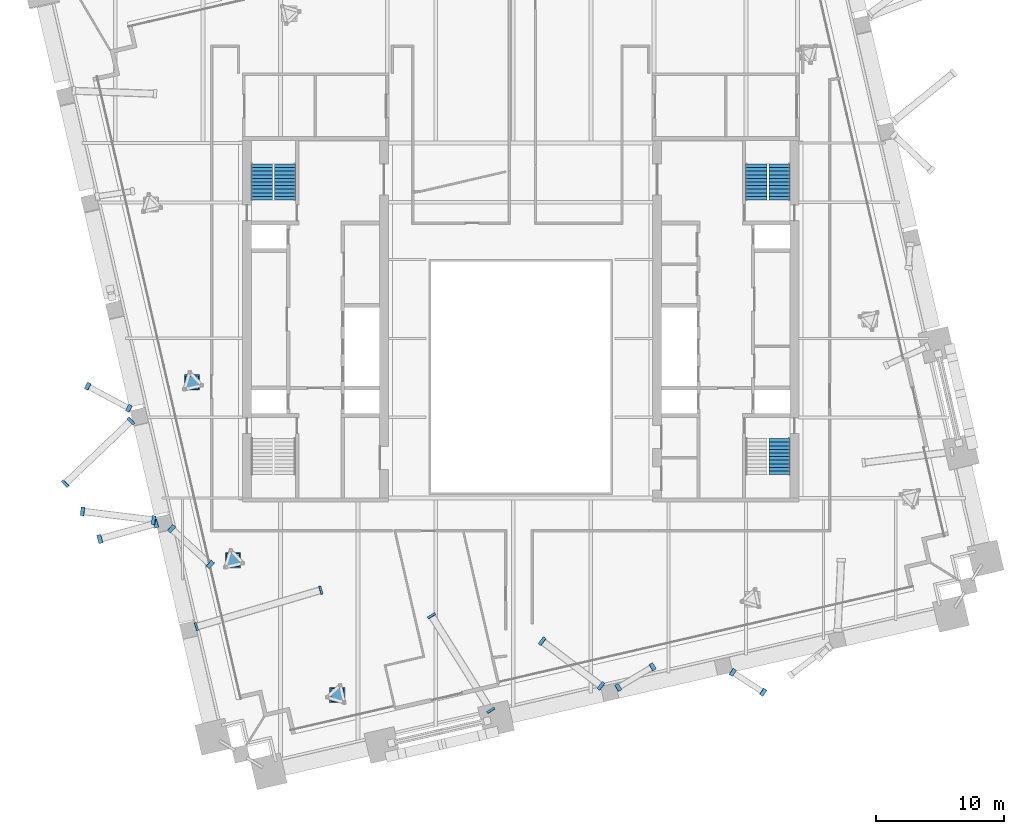
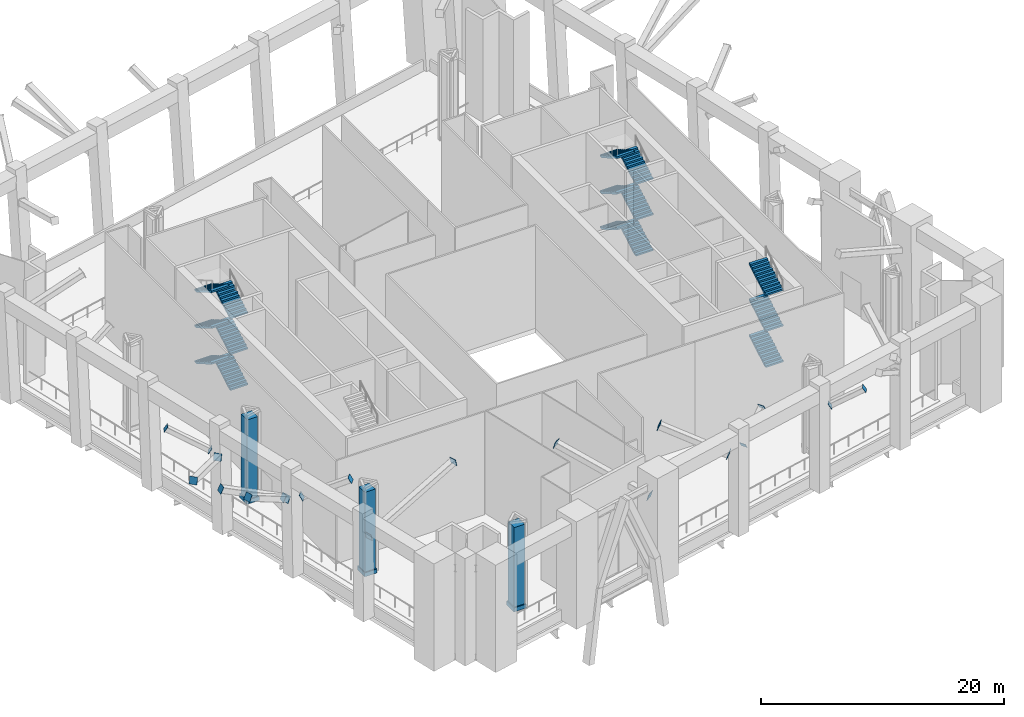
# One storey, part 20 of 25: 26 discrete accessories, 15 stair flights, 3 elements without a shape of their own.
"""IFC4 building model written with IfcOpenShell, lengths in metres."""

from ifc_helpers import new_model, si_unit, direction, frame, origin, origin_2d, place, context, subcontext, project, spatial, polyline, rectangle, outline, extrude, material, material_profile, profile_set, type_object, element, aggregate, save


model = new_model("IFC4")

# Units and contexts
model_context = context("Model", 3, precision=1e-05, world=origin(), true_north=direction((0.0, 1.0)))
body_context = subcontext(model_context, "Body", "Model", "MODEL_VIEW")
ifc_project = project(units=[si_unit("LENGTHUNIT", "METRE"), si_unit("AREAUNIT", "SQUARE_METRE"), si_unit("VOLUMEUNIT", "CUBIC_METRE"), si_unit("PLANEANGLEUNIT", "RADIAN"), si_unit("MASSUNIT", "GRAM", prefix="KILO")], contexts=[model_context])

# Site, building, storey
site_placement = place(None, origin())
site = spatial("IfcSite", under=ifc_project, at=site_placement, CompositionType="ELEMENT")
building_placement = place(site_placement, origin())
building = spatial("IfcBuilding", under=site, at=building_placement, Name="Ogive Exchange Tower", CompositionType="ELEMENT")
storey_placement = place(building_placement, frame((0.0, 0.0, 226.199951171875)))
storey = spatial("IfcBuildingStorey", under=building, at=storey_placement, Name="L50", CompositionType="ELEMENT", Elevation=226.199951171875)

# Stair, stair flights
ifc_material_1 = material(Name="Concrete C40/50", Category="concrete")
stair_type = type_object("IfcStairType", Name="Exit stair 1650 wide", PredefinedType="HALF_TURN_STAIR", material=ifc_material_1)
stair_1_placement = place(storey_placement, origin())
stair_1 = element("IfcStair", 1, at=stair_1_placement, inside=storey, type_object=stair_type, Name="L50 exit stair ST2", PredefinedType="HALF_TURN_STAIR")
stair_flight_type = type_object("IfcStairFlightType", Name="Stair flight 1650 wide", PredefinedType="STRAIGHT", material=ifc_material_1)
stair_flight_1_placement = place(storey_placement, frame((-18.375, 20.800048828125, 0.0), z_axis=(0.0, 0.0, 1.0), x_axis=(0.0, 1.0, 0.0)))
stair_flight_1 = element("IfcStairFlight", 2, at=stair_flight_1_placement, type_object=stair_flight_type, Name="ST2 flight 1", NumberOfRisers=11, NumberOfTreads=10, PredefinedType="STRAIGHT", RiserHeight=0.163636364, TreadLength=0.281, context=body_context, shape_type="SweptSolid", body=[
    extrude(outline(polyline([(0.0, 0.0), (0.0, 0.16357421875), (0.281005859375, 0.16357421875), (0.281005859375, 0.327392578125), (0.56201171875, 0.327392578125), (0.56201171875, 0.490966796875), (0.843017578125, 0.490966796875), (0.843017578125, 0.654541015625), (1.1240234375, 0.654541015625), (1.1240234375, 0.818115234375), (1.405029296875, 0.818115234375), (1.405029296875, 0.98193359375), (1.68603515625, 0.98193359375), (1.68603515625, 1.1455078125), (1.967041015625, 1.1455078125), (1.967041015625, 1.30908203125), (2.248046875, 1.30908203125), (2.248046875, 1.47265625), (2.529052734375, 1.47265625), (2.529052734375, 1.636474609375), (2.81005859375, 1.636474609375), (2.81005859375, 1.800048828125), (2.81005859375, 1.462890625), (0.2978515625, 0.0), (0.0, 0.0)])), frame((0.0, 0.824951171875, 0.0), z_axis=(0.0, -1.0, 0.0), x_axis=(1.0, 0.0, 0.0)), (0.0, 0.0, 1.0), 1.64990234375),
])
stair_flight_2_placement = place(storey_placement, frame((-20.175048828125, 23.610107421875, 1.800048828125), z_axis=(0.0, 0.0, 1.0), x_axis=(0.0, -1.0, 0.0)))
stair_flight_2 = element("IfcStairFlight", 3, at=stair_flight_2_placement, type_object=stair_flight_type, Name="ST2 flight 2", NumberOfRisers=11, NumberOfTreads=10, PredefinedType="STRAIGHT", RiserHeight=0.163636364, TreadLength=0.281, context=body_context, shape_type="SweptSolid", body=[
    extrude(outline(polyline([(0.0, 0.0), (0.0, 0.16357421875), (0.281005859375, 0.16357421875), (0.281005859375, 0.327392578125), (0.56201171875, 0.327392578125), (0.56201171875, 0.490966796875), (0.843017578125, 0.490966796875), (0.843017578125, 0.654541015625), (1.1240234375, 0.654541015625), (1.1240234375, 0.818115234375), (1.405029296875, 0.818115234375), (1.405029296875, 0.98193359375), (1.68603515625, 0.98193359375), (1.68603515625, 1.1455078125), (1.967041015625, 1.1455078125), (1.967041015625, 1.30908203125), (2.248046875, 1.30908203125), (2.248046875, 1.47265625), (2.529052734375, 1.47265625), (2.529052734375, 1.636474609375), (2.81005859375, 1.636474609375), (2.81005859375, 1.800048828125), (2.81005859375, 1.462890625), (0.2978515625, 0.0), (0.0, 0.0)])), frame((0.0, 0.824951171875, 0.0), z_axis=(0.0, -1.0, 0.0), x_axis=(1.0, 0.0, 0.0)), (0.0, 0.0, 1.0), 1.64990234375),
])
stair_flight_3_placement = place(storey_placement, frame((-18.375, 20.800048828125, 3.60009765625), z_axis=(0.0, 0.0, 1.0), x_axis=(0.0, 1.0, 0.0)))
stair_flight_3 = element("IfcStairFlight", 4, at=stair_flight_3_placement, type_object=stair_flight_type, Name="ST2 flight 3", NumberOfRisers=11, NumberOfTreads=10, PredefinedType="STRAIGHT", RiserHeight=0.163636364, TreadLength=0.281, context=body_context, shape_type="SweptSolid", body=[
    extrude(outline(polyline([(0.0, 0.0), (0.0, 0.16357421875), (0.281005859375, 0.16357421875), (0.281005859375, 0.327392578125), (0.56201171875, 0.327392578125), (0.56201171875, 0.490966796875), (0.843017578125, 0.490966796875), (0.843017578125, 0.654541015625), (1.1240234375, 0.654541015625), (1.1240234375, 0.818115234375), (1.405029296875, 0.818115234375), (1.405029296875, 0.98193359375), (1.68603515625, 0.98193359375), (1.68603515625, 1.1455078125), (1.967041015625, 1.1455078125), (1.967041015625, 1.30908203125), (2.248046875, 1.30908203125), (2.248046875, 1.47265625), (2.529052734375, 1.47265625), (2.529052734375, 1.636474609375), (2.81005859375, 1.636474609375), (2.81005859375, 1.800048828125), (2.81005859375, 1.462890625), (0.2978515625, 0.0), (0.0, 0.0)])), frame((0.0, 0.824951171875, 0.0), z_axis=(0.0, -1.0, 0.0), x_axis=(1.0, 0.0, 0.0)), (0.0, 0.0, 1.0), 1.64990234375),
])
stair_flight_4_placement = place(storey_placement, frame((-20.175048828125, 23.610107421875, 5.400146484375), z_axis=(0.0, 0.0, 1.0), x_axis=(0.0, -1.0, 0.0)))
stair_flight_4 = element("IfcStairFlight", 5, at=stair_flight_4_placement, type_object=stair_flight_type, Name="ST2 flight 4", NumberOfRisers=11, NumberOfTreads=10, PredefinedType="STRAIGHT", RiserHeight=0.163636364, TreadLength=0.281, context=body_context, shape_type="SweptSolid", body=[
    extrude(outline(polyline([(0.0, 0.0), (0.0, 0.16357421875), (0.281005859375, 0.16357421875), (0.281005859375, 0.327392578125), (0.56201171875, 0.327392578125), (0.56201171875, 0.490966796875), (0.843017578125, 0.490966796875), (0.843017578125, 0.654541015625), (1.1240234375, 0.654541015625), (1.1240234375, 0.818115234375), (1.405029296875, 0.818115234375), (1.405029296875, 0.98193359375), (1.68603515625, 0.98193359375), (1.68603515625, 1.1455078125), (1.967041015625, 1.1455078125), (1.967041015625, 1.30908203125), (2.248046875, 1.30908203125), (2.248046875, 1.47265625), (2.529052734375, 1.47265625), (2.529052734375, 1.636474609375), (2.81005859375, 1.636474609375), (2.81005859375, 1.800048828125), (2.81005859375, 1.462890625), (0.2978515625, 0.0), (0.0, 0.0)])), frame((0.0, 0.824951171875, 0.0), z_axis=(0.0, -1.0, 0.0), x_axis=(1.0, 0.0, 0.0)), (0.0, 0.0, 1.0), 1.64990234375),
])
stair_flight_5_placement = place(storey_placement, frame((-18.375, 20.800048828125, 7.199951171875), z_axis=(0.0, 0.0, 1.0), x_axis=(0.0, 1.0, 0.0)))
stair_flight_5 = element("IfcStairFlight", 6, at=stair_flight_5_placement, type_object=stair_flight_type, Name="ST2 flight 5", NumberOfRisers=11, NumberOfTreads=10, PredefinedType="STRAIGHT", RiserHeight=0.163636364, TreadLength=0.281, context=body_context, shape_type="SweptSolid", body=[
    extrude(outline(polyline([(0.0, 0.0), (0.0, 0.16357421875), (0.281005859375, 0.16357421875), (0.281005859375, 0.327392578125), (0.56201171875, 0.327392578125), (0.56201171875, 0.490966796875), (0.843017578125, 0.490966796875), (0.843017578125, 0.654541015625), (1.1240234375, 0.654541015625), (1.1240234375, 0.818115234375), (1.405029296875, 0.818115234375), (1.405029296875, 0.98193359375), (1.68603515625, 0.98193359375), (1.68603515625, 1.1455078125), (1.967041015625, 1.1455078125), (1.967041015625, 1.30908203125), (2.248046875, 1.30908203125), (2.248046875, 1.47265625), (2.529052734375, 1.47265625), (2.529052734375, 1.636474609375), (2.81005859375, 1.636474609375), (2.81005859375, 1.800048828125), (2.81005859375, 1.462890625), (0.2978515625, 0.0), (0.0, 0.0)])), frame((0.0, 0.824951171875, 0.0), z_axis=(0.0, -1.0, 0.0), x_axis=(1.0, 0.0, 0.0)), (0.0, 0.0, 1.0), 1.64990234375),
])
stair_flight_6_placement = place(storey_placement, frame((-20.175048828125, 23.610107421875, 9.0), z_axis=(0.0, 0.0, 1.0), x_axis=(0.0, -1.0, 0.0)))
stair_flight_6 = element("IfcStairFlight", 7, at=stair_flight_6_placement, type_object=stair_flight_type, Name="ST2 flight 6", NumberOfRisers=11, NumberOfTreads=10, PredefinedType="STRAIGHT", RiserHeight=0.163636364, TreadLength=0.281, context=body_context, shape_type="SweptSolid", body=[
    extrude(outline(polyline([(0.0, 0.0), (0.0, 0.16357421875), (0.281005859375, 0.16357421875), (0.281005859375, 0.327392578125), (0.56201171875, 0.327392578125), (0.56201171875, 0.490966796875), (0.843017578125, 0.490966796875), (0.843017578125, 0.654541015625), (1.1240234375, 0.654541015625), (1.1240234375, 0.818115234375), (1.405029296875, 0.818115234375), (1.405029296875, 0.98193359375), (1.68603515625, 0.98193359375), (1.68603515625, 1.1455078125), (1.967041015625, 1.1455078125), (1.967041015625, 1.30908203125), (2.248046875, 1.30908203125), (2.248046875, 1.47265625), (2.529052734375, 1.47265625), (2.529052734375, 1.636474609375), (2.81005859375, 1.636474609375), (2.81005859375, 1.800048828125), (2.81005859375, 1.462890625), (0.2978515625, 0.0), (0.0, 0.0)])), frame((0.0, 0.824951171875, 0.0), z_axis=(0.0, -1.0, 0.0), x_axis=(1.0, 0.0, 0.0)), (0.0, 0.0, 1.0), 1.64990234375),
])
aggregate(stair_1, [stair_flight_1, stair_flight_2, stair_flight_3, stair_flight_4, stair_flight_5, stair_flight_6])

stair_2_placement = place(storey_placement, origin())
stair_2 = element("IfcStair", 8, at=stair_2_placement, inside=storey, type_object=stair_type, Name="L50 exit stair ST3", PredefinedType="HALF_TURN_STAIR")
stair_flight_7_placement = place(storey_placement, frame((20.175048828125, -0.610107421875, 1.800048828125), z_axis=(0.0, 0.0, 1.0), x_axis=(0.0, 1.0, 0.0)))
stair_flight_7 = element("IfcStairFlight", 9, at=stair_flight_7_placement, type_object=stair_flight_type, Name="ST3 flight 2", NumberOfRisers=11, NumberOfTreads=10, PredefinedType="STRAIGHT", RiserHeight=0.163636364, TreadLength=0.281, context=body_context, shape_type="SweptSolid", body=[
    extrude(outline(polyline([(0.0, 0.0), (0.0, 0.16357421875), (0.281005859375, 0.16357421875), (0.281005859375, 0.327392578125), (0.56201171875, 0.327392578125), (0.56201171875, 0.490966796875), (0.843017578125, 0.490966796875), (0.843017578125, 0.654541015625), (1.1240234375, 0.654541015625), (1.1240234375, 0.818115234375), (1.405029296875, 0.818115234375), (1.405029296875, 0.98193359375), (1.68603515625, 0.98193359375), (1.68603515625, 1.1455078125), (1.967041015625, 1.1455078125), (1.967041015625, 1.30908203125), (2.248046875, 1.30908203125), (2.248046875, 1.47265625), (2.529052734375, 1.47265625), (2.529052734375, 1.636474609375), (2.81005859375, 1.636474609375), (2.81005859375, 1.800048828125), (2.81005859375, 1.462890625), (0.2978515625, 0.0), (0.0, 0.0)])), frame((0.0, 0.824951171875, 0.0), z_axis=(0.0, -1.0, 0.0), x_axis=(1.0, 0.0, 0.0)), (0.0, 0.0, 1.0), 1.64990234375),
])
stair_flight_8_placement = place(storey_placement, frame((20.175048828125, -0.610107421875, 5.400146484375), z_axis=(0.0, 0.0, 1.0), x_axis=(0.0, 1.0, 0.0)))
stair_flight_8 = element("IfcStairFlight", 10, at=stair_flight_8_placement, type_object=stair_flight_type, Name="ST3 flight 4", NumberOfRisers=11, NumberOfTreads=10, PredefinedType="STRAIGHT", RiserHeight=0.163636364, TreadLength=0.281, context=body_context, shape_type="SweptSolid", body=[
    extrude(outline(polyline([(0.0, 0.0), (0.0, 0.16357421875), (0.281005859375, 0.16357421875), (0.281005859375, 0.327392578125), (0.56201171875, 0.327392578125), (0.56201171875, 0.490966796875), (0.843017578125, 0.490966796875), (0.843017578125, 0.654541015625), (1.1240234375, 0.654541015625), (1.1240234375, 0.818115234375), (1.405029296875, 0.818115234375), (1.405029296875, 0.98193359375), (1.68603515625, 0.98193359375), (1.68603515625, 1.1455078125), (1.967041015625, 1.1455078125), (1.967041015625, 1.30908203125), (2.248046875, 1.30908203125), (2.248046875, 1.47265625), (2.529052734375, 1.47265625), (2.529052734375, 1.636474609375), (2.81005859375, 1.636474609375), (2.81005859375, 1.800048828125), (2.81005859375, 1.462890625), (0.2978515625, 0.0), (0.0, 0.0)])), frame((0.0, 0.824951171875, 0.0), z_axis=(0.0, -1.0, 0.0), x_axis=(1.0, 0.0, 0.0)), (0.0, 0.0, 1.0), 1.64990234375),
])
stair_flight_9_placement = place(storey_placement, frame((20.175048828125, -0.610107421875, 9.0), z_axis=(0.0, 0.0, 1.0), x_axis=(0.0, 1.0, 0.0)))
stair_flight_9 = element("IfcStairFlight", 11, at=stair_flight_9_placement, type_object=stair_flight_type, Name="ST3 flight 6", NumberOfRisers=11, NumberOfTreads=10, PredefinedType="STRAIGHT", RiserHeight=0.163636364, TreadLength=0.281, context=body_context, shape_type="SweptSolid", body=[
    extrude(outline(polyline([(0.0, 0.0), (0.0, 0.16357421875), (0.281005859375, 0.16357421875), (0.281005859375, 0.327392578125), (0.56201171875, 0.327392578125), (0.56201171875, 0.490966796875), (0.843017578125, 0.490966796875), (0.843017578125, 0.654541015625), (1.1240234375, 0.654541015625), (1.1240234375, 0.818115234375), (1.405029296875, 0.818115234375), (1.405029296875, 0.98193359375), (1.68603515625, 0.98193359375), (1.68603515625, 1.1455078125), (1.967041015625, 1.1455078125), (1.967041015625, 1.30908203125), (2.248046875, 1.30908203125), (2.248046875, 1.47265625), (2.529052734375, 1.47265625), (2.529052734375, 1.636474609375), (2.81005859375, 1.636474609375), (2.81005859375, 1.800048828125), (2.81005859375, 1.462890625), (0.2978515625, 0.0), (0.0, 0.0)])), frame((0.0, 0.824951171875, 0.0), z_axis=(0.0, -1.0, 0.0), x_axis=(1.0, 0.0, 0.0)), (0.0, 0.0, 1.0), 1.64990234375),
])
aggregate(stair_2, [stair_flight_7, stair_flight_8, stair_flight_9])

stair_3_placement = place(storey_placement, origin())
stair_3 = element("IfcStair", 12, at=stair_3_placement, inside=storey, type_object=stair_type, Name="L50 exit stair ST4", PredefinedType="HALF_TURN_STAIR")
stair_flight_10_placement = place(storey_placement, frame((20.175048828125, 20.800048828125, 0.0), z_axis=(0.0, 0.0, 1.0), x_axis=(0.0, 1.0, 0.0)))
stair_flight_10 = element("IfcStairFlight", 13, at=stair_flight_10_placement, type_object=stair_flight_type, Name="ST4 flight 1", NumberOfRisers=11, NumberOfTreads=10, PredefinedType="STRAIGHT", RiserHeight=0.163636364, TreadLength=0.281, context=body_context, shape_type="SweptSolid", body=[
    extrude(outline(polyline([(0.0, 0.0), (0.0, 0.16357421875), (0.281005859375, 0.16357421875), (0.281005859375, 0.327392578125), (0.56201171875, 0.327392578125), (0.56201171875, 0.490966796875), (0.843017578125, 0.490966796875), (0.843017578125, 0.654541015625), (1.1240234375, 0.654541015625), (1.1240234375, 0.818115234375), (1.405029296875, 0.818115234375), (1.405029296875, 0.98193359375), (1.68603515625, 0.98193359375), (1.68603515625, 1.1455078125), (1.967041015625, 1.1455078125), (1.967041015625, 1.30908203125), (2.248046875, 1.30908203125), (2.248046875, 1.47265625), (2.529052734375, 1.47265625), (2.529052734375, 1.636474609375), (2.81005859375, 1.636474609375), (2.81005859375, 1.800048828125), (2.81005859375, 1.462890625), (0.2978515625, 0.0), (0.0, 0.0)])), frame((0.0, 0.824951171875, 0.0), z_axis=(0.0, -1.0, 0.0), x_axis=(1.0, 0.0, 0.0)), (0.0, 0.0, 1.0), 1.64990234375),
])
stair_flight_11_placement = place(storey_placement, frame((18.375, 23.610107421875, 1.800048828125), z_axis=(0.0, 0.0, 1.0), x_axis=(0.0, -1.0, 0.0)))
stair_flight_11 = element("IfcStairFlight", 14, at=stair_flight_11_placement, type_object=stair_flight_type, Name="ST4 flight 2", NumberOfRisers=11, NumberOfTreads=10, PredefinedType="STRAIGHT", RiserHeight=0.163636364, TreadLength=0.281, context=body_context, shape_type="SweptSolid", body=[
    extrude(outline(polyline([(0.0, 0.0), (0.0, 0.16357421875), (0.281005859375, 0.16357421875), (0.281005859375, 0.327392578125), (0.56201171875, 0.327392578125), (0.56201171875, 0.490966796875), (0.843017578125, 0.490966796875), (0.843017578125, 0.654541015625), (1.1240234375, 0.654541015625), (1.1240234375, 0.818115234375), (1.405029296875, 0.818115234375), (1.405029296875, 0.98193359375), (1.68603515625, 0.98193359375), (1.68603515625, 1.1455078125), (1.967041015625, 1.1455078125), (1.967041015625, 1.30908203125), (2.248046875, 1.30908203125), (2.248046875, 1.47265625), (2.529052734375, 1.47265625), (2.529052734375, 1.636474609375), (2.81005859375, 1.636474609375), (2.81005859375, 1.800048828125), (2.81005859375, 1.462890625), (0.2978515625, 0.0), (0.0, 0.0)])), frame((0.0, 0.824951171875, 0.0), z_axis=(0.0, -1.0, 0.0), x_axis=(1.0, 0.0, 0.0)), (0.0, 0.0, 1.0), 1.64990234375),
])
stair_flight_12_placement = place(storey_placement, frame((20.175048828125, 20.800048828125, 3.60009765625), z_axis=(0.0, 0.0, 1.0), x_axis=(0.0, 1.0, 0.0)))
stair_flight_12 = element("IfcStairFlight", 15, at=stair_flight_12_placement, type_object=stair_flight_type, Name="ST4 flight 3", NumberOfRisers=11, NumberOfTreads=10, PredefinedType="STRAIGHT", RiserHeight=0.163636364, TreadLength=0.281, context=body_context, shape_type="SweptSolid", body=[
    extrude(outline(polyline([(0.0, 0.0), (0.0, 0.16357421875), (0.281005859375, 0.16357421875), (0.281005859375, 0.327392578125), (0.56201171875, 0.327392578125), (0.56201171875, 0.490966796875), (0.843017578125, 0.490966796875), (0.843017578125, 0.654541015625), (1.1240234375, 0.654541015625), (1.1240234375, 0.818115234375), (1.405029296875, 0.818115234375), (1.405029296875, 0.98193359375), (1.68603515625, 0.98193359375), (1.68603515625, 1.1455078125), (1.967041015625, 1.1455078125), (1.967041015625, 1.30908203125), (2.248046875, 1.30908203125), (2.248046875, 1.47265625), (2.529052734375, 1.47265625), (2.529052734375, 1.636474609375), (2.81005859375, 1.636474609375), (2.81005859375, 1.800048828125), (2.81005859375, 1.462890625), (0.2978515625, 0.0), (0.0, 0.0)])), frame((0.0, 0.824951171875, 0.0), z_axis=(0.0, -1.0, 0.0), x_axis=(1.0, 0.0, 0.0)), (0.0, 0.0, 1.0), 1.64990234375),
])
stair_flight_13_placement = place(storey_placement, frame((18.375, 23.610107421875, 5.400146484375), z_axis=(0.0, 0.0, 1.0), x_axis=(0.0, -1.0, 0.0)))
stair_flight_13 = element("IfcStairFlight", 16, at=stair_flight_13_placement, type_object=stair_flight_type, Name="ST4 flight 4", NumberOfRisers=11, NumberOfTreads=10, PredefinedType="STRAIGHT", RiserHeight=0.163636364, TreadLength=0.281, context=body_context, shape_type="SweptSolid", body=[
    extrude(outline(polyline([(0.0, 0.0), (0.0, 0.16357421875), (0.281005859375, 0.16357421875), (0.281005859375, 0.327392578125), (0.56201171875, 0.327392578125), (0.56201171875, 0.490966796875), (0.843017578125, 0.490966796875), (0.843017578125, 0.654541015625), (1.1240234375, 0.654541015625), (1.1240234375, 0.818115234375), (1.405029296875, 0.818115234375), (1.405029296875, 0.98193359375), (1.68603515625, 0.98193359375), (1.68603515625, 1.1455078125), (1.967041015625, 1.1455078125), (1.967041015625, 1.30908203125), (2.248046875, 1.30908203125), (2.248046875, 1.47265625), (2.529052734375, 1.47265625), (2.529052734375, 1.636474609375), (2.81005859375, 1.636474609375), (2.81005859375, 1.800048828125), (2.81005859375, 1.462890625), (0.2978515625, 0.0), (0.0, 0.0)])), frame((0.0, 0.824951171875, 0.0), z_axis=(0.0, -1.0, 0.0), x_axis=(1.0, 0.0, 0.0)), (0.0, 0.0, 1.0), 1.64990234375),
])
stair_flight_14_placement = place(storey_placement, frame((20.175048828125, 20.800048828125, 7.199951171875), z_axis=(0.0, 0.0, 1.0), x_axis=(0.0, 1.0, 0.0)))
stair_flight_14 = element("IfcStairFlight", 17, at=stair_flight_14_placement, type_object=stair_flight_type, Name="ST4 flight 5", NumberOfRisers=11, NumberOfTreads=10, PredefinedType="STRAIGHT", RiserHeight=0.163636364, TreadLength=0.281, context=body_context, shape_type="SweptSolid", body=[
    extrude(outline(polyline([(0.0, 0.0), (0.0, 0.16357421875), (0.281005859375, 0.16357421875), (0.281005859375, 0.327392578125), (0.56201171875, 0.327392578125), (0.56201171875, 0.490966796875), (0.843017578125, 0.490966796875), (0.843017578125, 0.654541015625), (1.1240234375, 0.654541015625), (1.1240234375, 0.818115234375), (1.405029296875, 0.818115234375), (1.405029296875, 0.98193359375), (1.68603515625, 0.98193359375), (1.68603515625, 1.1455078125), (1.967041015625, 1.1455078125), (1.967041015625, 1.30908203125), (2.248046875, 1.30908203125), (2.248046875, 1.47265625), (2.529052734375, 1.47265625), (2.529052734375, 1.636474609375), (2.81005859375, 1.636474609375), (2.81005859375, 1.800048828125), (2.81005859375, 1.462890625), (0.2978515625, 0.0), (0.0, 0.0)])), frame((0.0, 0.824951171875, 0.0), z_axis=(0.0, -1.0, 0.0), x_axis=(1.0, 0.0, 0.0)), (0.0, 0.0, 1.0), 1.64990234375),
])
stair_flight_15_placement = place(storey_placement, frame((18.375, 23.610107421875, 9.0), z_axis=(0.0, 0.0, 1.0), x_axis=(0.0, -1.0, 0.0)))
stair_flight_15 = element("IfcStairFlight", 18, at=stair_flight_15_placement, type_object=stair_flight_type, Name="ST4 flight 6", NumberOfRisers=11, NumberOfTreads=10, PredefinedType="STRAIGHT", RiserHeight=0.163636364, TreadLength=0.281, context=body_context, shape_type="SweptSolid", body=[
    extrude(outline(polyline([(0.0, 0.0), (0.0, 0.16357421875), (0.281005859375, 0.16357421875), (0.281005859375, 0.327392578125), (0.56201171875, 0.327392578125), (0.56201171875, 0.490966796875), (0.843017578125, 0.490966796875), (0.843017578125, 0.654541015625), (1.1240234375, 0.654541015625), (1.1240234375, 0.818115234375), (1.405029296875, 0.818115234375), (1.405029296875, 0.98193359375), (1.68603515625, 0.98193359375), (1.68603515625, 1.1455078125), (1.967041015625, 1.1455078125), (1.967041015625, 1.30908203125), (2.248046875, 1.30908203125), (2.248046875, 1.47265625), (2.529052734375, 1.47265625), (2.529052734375, 1.636474609375), (2.81005859375, 1.636474609375), (2.81005859375, 1.800048828125), (2.81005859375, 1.462890625), (0.2978515625, 0.0), (0.0, 0.0)])), frame((0.0, 0.824951171875, 0.0), z_axis=(0.0, -1.0, 0.0), x_axis=(1.0, 0.0, 0.0)), (0.0, 0.0, 1.0), 1.64990234375),
])
aggregate(stair_3, [stair_flight_10, stair_flight_11, stair_flight_12, stair_flight_13, stair_flight_14, stair_flight_15])

# Discrete accessories
ifc_material_2 = material(Name="Steel ASTM A572 Gr50", Category="steel")
ifc_material_profile_1 = material_profile(ifc_material_2, rectangle(XDim=0.576904296875, YDim=0.576904296875, at=origin_2d()), Name="PL 577 x 577 x 25")
ifc_profile_set_1 = profile_set([ifc_material_profile_1], Name="Steel ASTM A572 Gr50")
discrete_accessory_type_1 = type_object("IfcDiscreteAccessoryType", Name="Gusset plate 577 x 577 x 25", PredefinedType="USERDEFINED", material=ifc_profile_set_1)
for number, where, z_axis, x_axis, name in (
    (19, (7.598876953125, -17.217041015625, 8.203125), (0.729635506772, 0.437781304063, 0.525337564876), (-0.514495755428, 0.857492925713, 0.0), "Block-change strut 6 end plate A"),
    (20, (10.277099609375, -15.6005859375, 10.142578125), (0.729635506772, 0.437781304063, 0.525337564876), (-0.514495755428, 0.857492925713, 0.0), "Block-change strut 6 end plate B"),
):
    element("IfcDiscreteAccessory", number, at=place(storey_placement, frame(where, z_axis=z_axis, x_axis=x_axis)), inside=storey, type_object=discrete_accessory_type_1, Name=name, ObjectType="GUSSET PLATE", PredefinedType="USERDEFINED", context=body_context, shape_type="SweptSolid", body=[
        extrude(rectangle(XDim=0.576904296875, YDim=0.576904296875, at=origin_2d()), origin(), (0.0, 0.0, 1.0), 0.025146484375),
    ])
discrete_accessory_1_placement = place(storey_placement, frame((16.52880859375, -16.02392578125, 8.387451171875), z_axis=(0.705882352941, -0.470588235294, 0.529411764706), x_axis=(0.554700196225, 0.832050294338, 0.0)))
element("IfcDiscreteAccessory", 21, at=discrete_accessory_1_placement, inside=storey, type_object=discrete_accessory_type_1, Name="Block-change strut 7 end plate A", ObjectType="GUSSET PLATE", PredefinedType="USERDEFINED", context=body_context, shape_type="SweptSolid", body=[
    extrude(rectangle(XDim=0.576904296875, YDim=0.576904296875, at=origin_2d()), origin(), (0.0, 0.0, 1.0), 0.02490234375),
])
for number, where, z_axis, x_axis, name in (
    (22, (18.900634765625, -17.56884765625, 10.142578125), (0.710750565586, -0.467342837645, 0.525760692351), (0.549406263377, 0.835555358886, 0.0), "Block-change strut 7 end plate B"),
    (23, (-30.531982421875, 4.5517578125, 7.883056640625), (-0.750514422351, 0.399624562551, 0.526334789701), (-0.469993150061, -0.882670062309, 0.0), "Block-change strut 29 end plate A"),
    (24, (-33.7451171875, 6.27197265625, 10.142578125), (-0.750514422351, 0.399624562551, 0.526334789701), (-0.469993150061, -0.882670062309, 0.0), "Block-change strut 29 end plate B"),
):
    element("IfcDiscreteAccessory", number, at=place(storey_placement, frame(where, z_axis=z_axis, x_axis=x_axis)), inside=storey, type_object=discrete_accessory_type_1, Name=name, ObjectType="GUSSET PLATE", PredefinedType="USERDEFINED", context=body_context, shape_type="SweptSolid", body=[
        extrude(rectangle(XDim=0.576904296875, YDim=0.576904296875, at=origin_2d()), origin(), (0.0, 0.0, 1.0), 0.025146484375),
    ])
ifc_material_profile_2 = material_profile(ifc_material_2, rectangle(XDim=0.6279296875, YDim=0.6279296875, at=origin_2d()), Name="PL 628 x 628 x 25")
ifc_profile_set_2 = profile_set([ifc_material_profile_2], Name="Steel ASTM A572 Gr50")
discrete_accessory_type_2 = type_object("IfcDiscreteAccessoryType", Name="Gusset plate 628 x 628 x 25", PredefinedType="USERDEFINED", material=ifc_profile_set_2)
for number, where, z_axis, x_axis, name in (
    (25, (-27.233154296875, -4.818603515625, 7.73046875), (0.636582208148, -0.587614345983, 0.499472194085), (0.678280102733, 0.734803444627, 0.0), "Block-change strut 2 end plate A"),
    (26, (-24.213134765625, -7.61181640625, 10.117919921875), (0.636582208148, -0.587614345983, 0.499472194085), (0.678280102733, 0.734803444627, 0.0), "Block-change strut 2 end plate B"),
):
    element("IfcDiscreteAccessory", number, at=place(storey_placement, frame(where, z_axis=z_axis, x_axis=x_axis)), inside=storey, type_object=discrete_accessory_type_2, Name=name, ObjectType="GUSSET PLATE", PredefinedType="USERDEFINED", context=body_context, shape_type="SweptSolid", body=[
        extrude(rectangle(XDim=0.6279296875, YDim=0.6279296875, at=origin_2d()), origin(), (0.0, 0.0, 1.0), 0.02490234375),
    ])
ifc_material_profile_3 = material_profile(ifc_material_2, rectangle(XDim=0.678955078125, YDim=0.678955078125, at=origin_2d()), Name="PL 679 x 679 x 25")
ifc_profile_set_3 = profile_set([ifc_material_profile_3], Name="Steel ASTM A572 Gr50")
discrete_accessory_type_3 = type_object("IfcDiscreteAccessoryType", Name="Gusset plate 679 x 679 x 25", PredefinedType="USERDEFINED", material=ifc_profile_set_3)
for number, where, z_axis, x_axis, name in (
    (27, (-28.447998046875, -4.4208984375, 7.702880859375), (-0.851102542781, -0.234786908353, 0.469573816707), (0.265928998126, -0.963992618206, 0.0), "Block-change strut 1 end plate A"),
    (28, (-32.79931640625, -5.629638671875, 10.09130859375), (-0.851102542781, -0.234786908353, 0.469573816707), (0.265928998126, -0.963992618206, 0.0), "Block-change strut 1 end plate B"),
):
    element("IfcDiscreteAccessory", number, at=place(storey_placement, frame(where, z_axis=z_axis, x_axis=x_axis)), inside=storey, type_object=discrete_accessory_type_3, Name=name, ObjectType="GUSSET PLATE", PredefinedType="USERDEFINED", context=body_context, shape_type="SweptSolid", body=[
        extrude(rectangle(XDim=0.678955078125, YDim=0.678955078125, at=origin_2d()), origin(), (0.0, 0.0, 1.0), 0.02490234375),
    ])
discrete_accessory_2_placement = place(storey_placement, frame((-25.29736328125, -12.473876953125, 7.677978515625), z_axis=(0.9309863771, 0.281235468082, 0.232746594275), x_axis=(-0.289177016588, 0.957275641118, 0.0)))
element("IfcDiscreteAccessory", 29, at=discrete_accessory_2_placement, inside=storey, type_object=discrete_accessory_type_3, Name="Block-change strut 3 end plate A", ObjectType="GUSSET PLATE", PredefinedType="USERDEFINED", context=body_context, shape_type="SweptSolid", body=[
    extrude(rectangle(XDim=0.678955078125, YDim=0.678955078125, at=origin_2d()), origin(), (0.0, 0.0, 1.0), 0.025146484375),
])
discrete_accessory_3_placement = place(storey_placement, frame((-15.597412109375, -9.6240234375, 10.072265625), z_axis=(0.932224161528, 0.274760805503, 0.23550926186), x_axis=(-0.282712925106, 0.959204567325, 0.0)))
element("IfcDiscreteAccessory", 30, at=discrete_accessory_3_placement, inside=storey, type_object=discrete_accessory_type_3, Name="Block-change strut 3 end plate B", ObjectType="GUSSET PLATE", PredefinedType="USERDEFINED", context=body_context, shape_type="SweptSolid", body=[
    extrude(rectangle(XDim=0.678955078125, YDim=0.678955078125, at=origin_2d()), origin(), (0.0, 0.0, 1.0), 0.02490234375),
])
discrete_accessory_4_placement = place(storey_placement, frame((-2.3203125, -19.00830078125, 7.6806640625), z_axis=(-0.514927261809, 0.816111131923, 0.262321435261), x_axis=(-0.845728062321, -0.53361413456, 0.0)))
element("IfcDiscreteAccessory", 31, at=discrete_accessory_4_placement, inside=storey, type_object=discrete_accessory_type_3, Name="Block-change strut 4 end plate A", ObjectType="GUSSET PLATE", PredefinedType="USERDEFINED", context=body_context, shape_type="SweptSolid", body=[
    extrude(rectangle(XDim=0.678955078125, YDim=0.678955078125, at=origin_2d()), origin(), (0.0, 0.0, 1.0), 0.025146484375),
])
for number, where, z_axis, x_axis, name in (
    (32, (-6.938232421875, -11.62841796875, 10.073974609375), (-0.507734063563, 0.820185794986, 0.263631148388), (-0.850265146688, -0.526354614616, 0.0), "Block-change strut 4 end plate B"),
    (33, (6.278076171875, -17.096923828125, 7.69189453125), (-0.735612357921, 0.55906539202, 0.382518426119), (-0.605083267534, -0.796162194123, 0.0), "Block-change strut 5 end plate A"),
):
    element("IfcDiscreteAccessory", number, at=place(storey_placement, frame(where, z_axis=z_axis, x_axis=x_axis)), inside=storey, type_object=discrete_accessory_type_3, Name=name, ObjectType="GUSSET PLATE", PredefinedType="USERDEFINED", context=body_context, shape_type="SweptSolid", body=[
        extrude(rectangle(XDim=0.678955078125, YDim=0.678955078125, at=origin_2d()), origin(), (0.0, 0.0, 1.0), 0.02490234375),
    ])
discrete_accessory_5_placement = place(storey_placement, frame((1.690673828125, -13.61279296875, 10.082275390625), z_axis=(-0.74006473287, 0.555048549652, 0.379770060288), x_axis=(-0.6, -0.8, 0.0)))
element("IfcDiscreteAccessory", 34, at=discrete_accessory_5_placement, inside=storey, type_object=discrete_accessory_type_3, Name="Block-change strut 5 end plate B", ObjectType="GUSSET PLATE", PredefinedType="USERDEFINED", context=body_context, shape_type="SweptSolid", body=[
    extrude(rectangle(XDim=0.678955078125, YDim=0.678955078125, at=origin_2d()), origin(), (0.0, 0.0, 1.0), 0.025146484375),
])
for number, where, z_axis, x_axis, name in (
    (35, (-30.37890625, 3.578125, 7.685302734375), (-0.693351440268, -0.644523874052, 0.322261937026), (0.680846676947, -0.732425970655, 0.0), "Block-change strut 30 end plate A"),
    (36, (-35.501220703125, -1.3017578125, 10.0771484375), (-0.683846837693, -0.654539116078, 0.32238493777), (0.691456929286, -0.722417687313, 0.0), "Block-change strut 30 end plate B"),
    (37, (-28.6083984375, -4.15966796875, 7.693115234375), (-0.913258178965, 0.108019784609, 0.392799216759), (-0.117460782169, -0.993077521975, 0.0), "Block-change strut 34 end plate A"),
    (38, (-34.146728515625, -3.4794921875, 10.083251953125), (-0.909712211904, 0.10760036915, 0.401055921377), (-0.117460782169, -0.993077521975, 0.0), "Block-change strut 34 end plate B"),
):
    element("IfcDiscreteAccessory", number, at=place(storey_placement, frame(where, z_axis=z_axis, x_axis=x_axis)), inside=storey, type_object=discrete_accessory_type_3, Name=name, ObjectType="GUSSET PLATE", PredefinedType="USERDEFINED", context=body_context, shape_type="SweptSolid", body=[
        extrude(rectangle(XDim=0.678955078125, YDim=0.678955078125, at=origin_2d()), origin(), (0.0, 0.0, 1.0), 0.02490234375),
    ])
discrete_accessory_6_placement = place(storey_placement, frame((-14.302001953125, -17.793701171875, 0.0), z_axis=(0.0, 0.0, 1.0), x_axis=(1.0, 0.0, 0.0)))
element("IfcDiscreteAccessory", 39, at=discrete_accessory_6_placement, inside=storey, Name="Turbine mount 1", ObjectType="TURBINE MOUNT", PredefinedType="USERDEFINED", context=body_context, shape_type="SweptSolid", body=[
    extrude(rectangle(XDim=1.199951171875, YDim=1.199951171875, at=origin_2d()), origin(), (0.0, 0.0, 1.0), 0.39990234375),
])
discrete_accessory_7_placement = place(storey_placement, frame((-14.302001953125, -17.793701171875, 0.400146484375), z_axis=(0.0, 0.0, 1.0), x_axis=(1.0, 0.0, 0.0)))
element("IfcDiscreteAccessory", 40, at=discrete_accessory_7_placement, inside=storey, Name="WIND TURBINE 1", ObjectType="WIND TURBINE", PredefinedType="USERDEFINED", context=body_context, shape_type="SweptSolid", body=[
    extrude(rectangle(XDim=1.0, YDim=1.0, at=origin_2d()), origin(), (0.0, 0.0, 1.0), 8.0),
])
discrete_accessory_8_placement = place(storey_placement, frame((-25.6259765625, 6.583740234375, 0.0), z_axis=(0.0, 0.0, 1.0), x_axis=(1.0, 0.0, 0.0)))
element("IfcDiscreteAccessory", 41, at=discrete_accessory_8_placement, inside=storey, Name="Turbine mount 9", ObjectType="TURBINE MOUNT", PredefinedType="USERDEFINED", context=body_context, shape_type="SweptSolid", body=[
    extrude(rectangle(XDim=1.199951171875, YDim=1.199951171875, at=origin_2d()), origin(), (0.0, 0.0, 1.0), 0.39990234375),
])
discrete_accessory_9_placement = place(storey_placement, frame((-25.6259765625, 6.583740234375, 0.400146484375), z_axis=(0.0, 0.0, 1.0), x_axis=(1.0, 0.0, 0.0)))
element("IfcDiscreteAccessory", 42, at=discrete_accessory_9_placement, inside=storey, Name="WIND TURBINE 9", ObjectType="WIND TURBINE", PredefinedType="USERDEFINED", context=body_context, shape_type="SweptSolid", body=[
    extrude(rectangle(XDim=1.0, YDim=1.0, at=origin_2d()), origin(), (0.0, 0.0, 1.0), 8.0),
])
discrete_accessory_10_placement = place(storey_placement, frame((-22.42529296875, -7.280029296875, 0.0), z_axis=(0.0, 0.0, 1.0), x_axis=(1.0, 0.0, 0.0)))
element("IfcDiscreteAccessory", 43, at=discrete_accessory_10_placement, inside=storey, Name="Turbine mount 10", ObjectType="TURBINE MOUNT", PredefinedType="USERDEFINED", context=body_context, shape_type="SweptSolid", body=[
    extrude(rectangle(XDim=1.199951171875, YDim=1.199951171875, at=origin_2d()), origin(), (0.0, 0.0, 1.0), 0.39990234375),
])
discrete_accessory_11_placement = place(storey_placement, frame((-22.42529296875, -7.280029296875, 0.400146484375), z_axis=(0.0, 0.0, 1.0), x_axis=(1.0, 0.0, 0.0)))
element("IfcDiscreteAccessory", 44, at=discrete_accessory_11_placement, inside=storey, Name="WIND TURBINE 10", ObjectType="WIND TURBINE", PredefinedType="USERDEFINED", context=body_context, shape_type="SweptSolid", body=[
    extrude(rectangle(XDim=1.0, YDim=1.0, at=origin_2d()), origin(), (0.0, 0.0, 1.0), 8.0),
])

save(model, "model.ifc")
